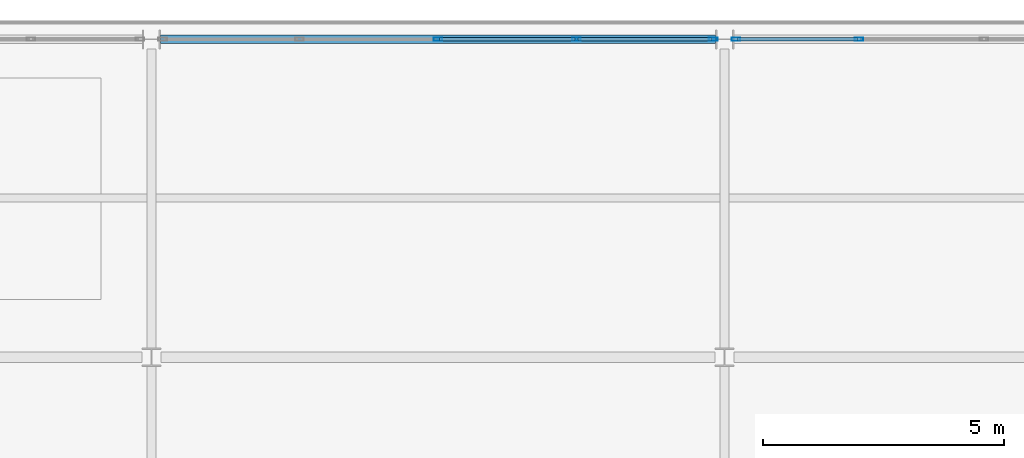
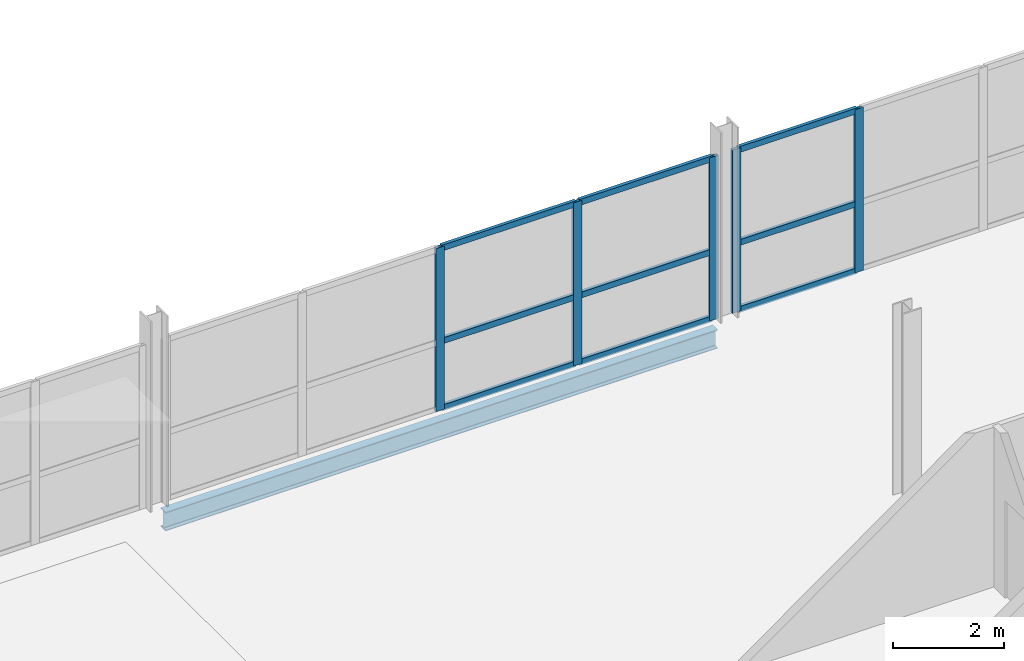
# One storey, part 15 of 36: 14 members, 1 beam, 2 elements without a shape of their own.
"""IFC4 building model written with IfcOpenShell, lengths in metres."""

import ifcopenshell
import ifcopenshell.guid

model = None  # the IFC model being written
_history = None  # IfcOwnerHistory: only IFC2X3 demands one
_inside = {}  # id of a spatial element -> (the spatial element, [elements in it])
_under = {}  # id of a project, library or spatial element -> (it, [spatial elements below it])
_declared = {}  # id of a project -> (the project, [libraries it declares])
_typed = {}  # id of a type object -> (the type object, [elements of that type])
_made_of = {}  # id of a material, layer set ... -> (it, [elements and type objects made of it])


def new_model(schema):
    """Start an empty IFC model of exactly this schema.

    Asked for "IFC4X3", IfcOpenShell would pick the latest addendum, in which some entities
    have other attributes; the version numbers below select the first issue.
    IFC2X3 requires an IfcOwnerHistory on every rooted entity: one is made here for all.
    """
    global model, _history
    if schema == "IFC4X3":
        model = ifcopenshell.file(schema_version=(4, 3, 0, 0))
    else:
        model = ifcopenshell.file(schema=schema)
    _inside.clear()
    _under.clear()
    _declared.clear()
    _typed.clear()
    _made_of.clear()
    _history = None
    if model.schema == "IFC2X3":
        org = make("IfcOrganization", Name="unknown")
        user = make(
            "IfcPersonAndOrganization",
            ThePerson=make("IfcPerson", FamilyName="unknown"),
            TheOrganization=org,
        )
        app = make(
            "IfcApplication",
            ApplicationDeveloper=org,
            Version="unknown",
            ApplicationFullName="unknown",
            ApplicationIdentifier="unknown",
        )
        _history = make(
            "IfcOwnerHistory",
            OwningUser=user,
            OwningApplication=app,
            ChangeAction="ADDED",
            CreationDate=0,
        )
    return model


def make(cls, **values):
    """One entity of the class cls with the attributes given. An attribute that is None is left unset."""
    return model.create_entity(
        cls, **{name: value for name, value in values.items() if value is not None}
    )


def rooted(cls, **values):
    """An entity with a GlobalId (a new one), such as an element, a storey or a relation."""
    return make(cls, GlobalId=ifcopenshell.guid.new(), OwnerHistory=_history, **values)


def si_unit(unit_type, name, prefix=None):
    """IfcSIUnit, for example si_unit("LENGTHUNIT", "METRE", prefix="MILLI")."""
    return make("IfcSIUnit", UnitType=unit_type, Prefix=prefix, Name=name)


def assignment(units):
    """IfcUnitAssignment: the units of a project."""
    return None if units is None else make("IfcUnitAssignment", Units=units)


def point(xyz):
    """IfcCartesianPoint."""
    return None if xyz is None else make("IfcCartesianPoint", Coordinates=xyz)


def direction(xyz):
    """IfcDirection."""
    return None if xyz is None else make("IfcDirection", DirectionRatios=xyz)


def frame(location, z_axis=None, x_axis=None):
    """IfcAxis2Placement3D, a coordinate frame: its origin and axes. An axis left out is left unset."""
    return make(
        "IfcAxis2Placement3D",
        Location=point(location),
        Axis=direction(z_axis),
        RefDirection=direction(x_axis),
    )


def frame_2d(location, x_axis=None):
    """IfcAxis2Placement2D, a coordinate frame in the plane: its origin and x axis."""
    return make(
        "IfcAxis2Placement2D", Location=point(location), RefDirection=direction(x_axis)
    )


def origin():
    """The frame at (0, 0, 0) with its axes left unset."""
    return frame((0.0, 0.0, 0.0))


def origin_2d():
    """The frame at (0, 0) in the plane with its x axis left unset."""
    return frame_2d((0.0, 0.0))


def place(relative_to, where):
    """IfcLocalPlacement: puts the frame where relative to a parent placement (None: the world)."""
    return make(
        "IfcLocalPlacement", PlacementRelTo=relative_to, RelativePlacement=where
    )


def context(
    kind, dimensions, precision=None, world=None, true_north=None, identifier=None
):
    """IfcGeometricRepresentationContext, for example the 3D "Model" context."""
    return make(
        "IfcGeometricRepresentationContext",
        ContextIdentifier=identifier,
        ContextType=kind,
        CoordinateSpaceDimension=dimensions,
        Precision=precision,
        WorldCoordinateSystem=world,
        TrueNorth=true_north,
    )


def subcontext(parent, identifier, kind, view, scale=None):
    """IfcGeometricRepresentationSubContext, for example "Body" below "Model"."""
    return make(
        "IfcGeometricRepresentationSubContext",
        ContextIdentifier=identifier,
        ContextType=kind,
        ParentContext=parent,
        TargetScale=scale,
        TargetView=view,
    )


def project(units=None, contexts=None):
    """IfcProject with its units and contexts."""
    return rooted(
        "IfcProject",
        Name="project",
        RepresentationContexts=contexts,
        UnitsInContext=assignment(units),
    )


def spatial(cls, under=None, at=None, **own):
    """A site, building, storey or space (cls), placed at a placement, below another one or the project."""
    s = rooted(cls, ObjectPlacement=at, **own)
    if under is not None:
        _under.setdefault(under.id(), (under, []))[1].append(s)
    return s


def profile(cls, at=None, kind="AREA", **sizes):
    """A parametric profile (cls). Its sizes go by their IFC names, for example OverallWidth=200.0."""
    return make(cls, ProfileType=kind, Position=at, **sizes)


def hollow_rectangle(**sizes):
    """IfcRectangleHollowProfileDef."""
    return profile("IfcRectangleHollowProfileDef", **sizes)


def i_section(**sizes):
    """IfcIShapeProfileDef."""
    return profile("IfcIShapeProfileDef", **sizes)


def extrude(swept, where, along, depth):
    """IfcExtrudedAreaSolid: the profile swept, set in the frame where, extruded along a direction by depth."""
    return make(
        "IfcExtrudedAreaSolid",
        SweptArea=swept,
        Position=where,
        ExtrudedDirection=direction(along),
        Depth=depth,
    )


def shape(context_of_items, identifier, shape_type, items):
    """IfcShapeRepresentation: the items that make up one representation, for example the "Body"."""
    return make(
        "IfcShapeRepresentation",
        ContextOfItems=context_of_items,
        RepresentationIdentifier=identifier,
        RepresentationType=shape_type,
        Items=items,
    )


def material(Name=None, Category=None):
    """IfcMaterial."""
    return make("IfcMaterial", Name=Name, Category=Category)


def layer(
    of_material, thickness, ventilated=None, Name=None, Category=None, Priority=None
):
    """IfcMaterialLayer: one layer of a wall or slab, of a material (None: an air gap)."""
    return make(
        "IfcMaterialLayer",
        Material=of_material,
        LayerThickness=thickness,
        IsVentilated=ventilated,
        Name=Name,
        Category=Category,
        Priority=Priority,
    )


def layer_set(layers, Name=None):
    """IfcMaterialLayerSet."""
    return make("IfcMaterialLayerSet", MaterialLayers=layers, LayerSetName=Name)


def material_profile(
    of_material, cross_section, Name=None, Category=None, Priority=None
):
    """IfcMaterialProfile: a cross section and its material."""
    return make(
        "IfcMaterialProfile",
        Name=Name,
        Material=of_material,
        Profile=cross_section,
        Priority=Priority,
        Category=Category,
    )


def profile_set(profiles, Name=None, composite=None):
    """IfcMaterialProfileSet."""
    return make(
        "IfcMaterialProfileSet",
        Name=Name,
        MaterialProfiles=profiles,
        CompositeProfile=composite,
    )


def made_of(thing, what):
    """Note that an element or type object is made of a material, layer set ...; save() writes the relation."""
    if what is not None:
        _made_of.setdefault(what.id(), (what, []))[1].append(thing)
    return thing


def type_object(cls, material=None, **own):
    """A type object (cls), such as IfcWallType, which elements share."""
    return made_of(rooted(cls, **own), material)


def element(
    cls,
    number,
    at=None,
    inside=None,
    cuts=None,
    type_object=None,
    material=None,
    context=None,
    identifier="Body",
    shape_type=None,
    held_by="IfcProductDefinitionShape",
    body=None,
    shapes=None,
    **own,
):
    """One element of the class cls, such as IfcWall. Its Tag is "e" and its number.

    at: its placement. inside: the storey or other place that contains it. cuts: it is an
    opening in that element (IfcRelVoidsElement). A single representation is given by context,
    identifier, shape_type and body (its items); several are given by shapes. held_by: the class
    of the entity that holds the representations. save() writes the other relations.
    """
    e = rooted(cls, Tag="e%d" % number, ObjectPlacement=at, **own)
    if body is not None:
        shapes = [shape(context, identifier, shape_type, body)]
    if shapes is not None:
        e.Representation = make(held_by, Representations=shapes)
    if inside is not None:
        _inside.setdefault(inside.id(), (inside, []))[1].append(e)
    if cuts is not None:
        rooted(
            "IfcRelVoidsElement", RelatingBuildingElement=cuts, RelatedOpeningElement=e
        )
    if type_object is not None:
        _typed.setdefault(type_object.id(), (type_object, []))[1].append(e)
    return made_of(e, material)


def aggregate(whole, parts):
    """IfcRelAggregates: a whole, such as a stair, and the parts it consists of."""
    return rooted("IfcRelAggregates", RelatingObject=whole, RelatedObjects=parts)


def save(model, path):
    """Write the relations noted so far, then the file.

    IfcRelAggregates (storeys below a building ...), IfcRelContainedInSpatialStructure (elements
    in a storey), IfcRelDefinesByType, IfcRelAssociatesMaterial and IfcRelDeclares: one each for
    every whole, place, type object, material and project.
    """
    for whole, parts in _under.values():
        aggregate(whole, parts)
    for where, things in _inside.values():
        rooted(
            "IfcRelContainedInSpatialStructure",
            RelatedElements=things,
            RelatingStructure=where,
        )
    for kind, things in _typed.values():
        rooted("IfcRelDefinesByType", RelatedObjects=things, RelatingType=kind)
    for what, things in _made_of.values():
        rooted("IfcRelAssociatesMaterial", RelatedObjects=things, RelatingMaterial=what)
    for by, libraries in _declared.values():
        rooted("IfcRelDeclares", RelatingContext=by, RelatedDefinitions=libraries)
    model.write(path)


model = new_model("IFC4")

# Units and contexts
model_context = context("Model", 3, precision=1e-05, world=origin(), true_north=direction((0.0, 1.0)))
body_context = subcontext(model_context, "Body", "Model", "MODEL_VIEW")
ifc_project = project(units=[si_unit("LENGTHUNIT", "METRE"), si_unit("AREAUNIT", "SQUARE_METRE"), si_unit("VOLUMEUNIT", "CUBIC_METRE"), si_unit("PLANEANGLEUNIT", "RADIAN"), si_unit("MASSUNIT", "GRAM", prefix="KILO")], contexts=[model_context])

# Site, building, storey
site_placement = place(None, origin())
site = spatial("IfcSite", under=ifc_project, at=site_placement, CompositionType="ELEMENT")
building_placement = place(site_placement, origin())
building = spatial("IfcBuilding", under=site, at=building_placement, Name="Quillay Park Conservatory", CompositionType="ELEMENT")
storey_placement = place(building_placement, frame((0.0, 0.0, 18.300048828125)))
storey = spatial("IfcBuildingStorey", under=building, at=storey_placement, Name="L04", CompositionType="ELEMENT", Elevation=18.300048828125)

# Curtain wall, members
ifc_material_1 = material(Name="Thermally Broken Anodised Aluminium 6063-T6", Category="aluminium")
ifc_layer = layer(ifc_material_1, 0.179931640625)
ifc_layer_set = layer_set([ifc_layer], Name="UNITISED CURTAIN WALL TOWER (Thermally Broken Anodised Aluminium 6063-T6)")
curtain_wall_type = type_object("IfcCurtainWallType", Name="UNITISED CURTAIN WALL TOWER", PredefinedType="USERDEFINED", material=ifc_layer_set)
curtain_wall_1_placement = place(storey_placement, origin())
curtain_wall_1 = element("IfcCurtainWall", 1, at=curtain_wall_1_placement, inside=storey, type_object=curtain_wall_type, Name="L04 Unitised Curtain Wall 046", ObjectType="UNITISED CURTAIN WALL", PredefinedType="USERDEFINED")
ifc_material_2 = material(Name="Thermally Broken Anodised Aluminium 6063-T6", Category="aluminium")
ifc_material_profile_1 = material_profile(ifc_material_2, hollow_rectangle(XDim=0.070068359375, YDim=0.179931640625, WallThickness=0.00390625, at=origin_2d()), Name="AL70x180x4")
ifc_profile_set_1 = profile_set([ifc_material_profile_1], Name="Thermally Broken Anodised Aluminium 6063-T6")
member_type_1 = type_object("IfcMemberType", Name="CURTAIN WALL MULLION 70 X180", PredefinedType="MULLION", material=ifc_profile_set_1)
member_1_placement = place(storey_placement, frame((13.800048828125, 113.39990234375, 0.0), z_axis=(0.0, 0.0, 1.0), x_axis=(0.0, 1.0, 0.0)))
member_1 = element("IfcMember", 2, at=member_1_placement, type_object=member_type_1, Name="CW-T1 mullion 3", PredefinedType="MULLION", context=body_context, shape_type="SweptSolid", body=[
    extrude(hollow_rectangle(XDim=0.070068359375, YDim=0.179931640625, WallThickness=0.00390625, at=origin_2d()), origin(), (0.0, 0.0, 1.0), 3.598876953125),
])
member_2_placement = place(storey_placement, frame((16.675048828125, 113.39990234375, 0.0), z_axis=(0.0, 0.0, 1.0), x_axis=(0.0, 1.0, 0.0)))
member_2 = element("IfcMember", 3, at=member_2_placement, type_object=member_type_1, Name="CW-T1 mullion 4", PredefinedType="MULLION", context=body_context, shape_type="SweptSolid", body=[
    extrude(hollow_rectangle(XDim=0.070068359375, YDim=0.179931640625, WallThickness=0.00390625, at=origin_2d()), origin(), (0.0, 0.0, 1.0), 3.598876953125),
])
member_3_placement = place(storey_placement, frame((19.514892578125, 113.39990234375, 0.0), z_axis=(0.0, 0.0, 1.0), x_axis=(0.0, 1.0, 0.0)))
member_3 = element("IfcMember", 4, at=member_3_placement, type_object=member_type_1, Name="CW-T1 mullion 5", PredefinedType="MULLION", context=body_context, shape_type="SweptSolid", body=[
    extrude(hollow_rectangle(XDim=0.070068359375, YDim=0.179931640625, WallThickness=0.00390625, at=origin_2d()), origin(), (0.0, 0.0, 1.0), 3.598876953125),
])

curtain_wall_2_placement = place(storey_placement, origin())
curtain_wall_2 = element("IfcCurtainWall", 5, at=curtain_wall_2_placement, inside=storey, type_object=curtain_wall_type, Name="L04 Unitised Curtain Wall 047", ObjectType="UNITISED CURTAIN WALL", PredefinedType="USERDEFINED")
member_4_placement = place(storey_placement, frame((19.985107421875, 113.39990234375, 0.0), z_axis=(0.0, 0.0, 1.0), x_axis=(0.0, 1.0, 0.0)))
member_4 = element("IfcMember", 6, at=member_4_placement, type_object=member_type_1, Name="CW-T1 mullion 1", PredefinedType="MULLION", context=body_context, shape_type="SweptSolid", body=[
    extrude(hollow_rectangle(XDim=0.070068359375, YDim=0.179931640625, WallThickness=0.00390625, at=origin_2d()), origin(), (0.0, 0.0, 1.0), 3.598876953125),
])
member_5_placement = place(storey_placement, frame((22.541748046875, 113.39990234375, 0.0), z_axis=(0.0, 0.0, 1.0), x_axis=(0.0, 1.0, 0.0)))
member_5 = element("IfcMember", 7, at=member_5_placement, type_object=member_type_1, Name="CW-T1 mullion 2", PredefinedType="MULLION", context=body_context, shape_type="SweptSolid", body=[
    extrude(hollow_rectangle(XDim=0.070068359375, YDim=0.179931640625, WallThickness=0.00390625, at=origin_2d()), origin(), (0.0, 0.0, 1.0), 3.598876953125),
])

# Member
ifc_material_3 = material(Name="Thermally Broken Anodised Aluminium 6063-T6", Category="aluminium")
ifc_material_profile_2 = material_profile(ifc_material_3, hollow_rectangle(XDim=0.070068359375, YDim=0.1298828125, WallThickness=0.003173828125, at=origin_2d()), Name="AL70x130x3.2")
ifc_profile_set_2 = profile_set([ifc_material_profile_2], Name="Thermally Broken Anodised Aluminium 6063-T6")
member_type_2 = type_object("IfcMemberType", Name="CURTAIN WALL TRANSOM 70 X130", PredefinedType="USERDEFINED", material=ifc_profile_set_2)
member_6_placement = place(storey_placement, frame((13.8349609375, 113.39990234375, 0.034912109375), z_axis=(1.0, 0.0, 0.0), x_axis=(0.0, 1.0, 0.0)))
member_6 = element("IfcMember", 8, at=member_6_placement, type_object=member_type_2, Name="CW-T1 transom 3.1", ObjectType="TRANSOM", PredefinedType="USERDEFINED", context=body_context, shape_type="SweptSolid", body=[
    extrude(hollow_rectangle(XDim=0.070068359375, YDim=0.1298828125, WallThickness=0.003173828125, at=origin_2d()), origin(), (0.0, 0.0, 1.0), 2.804931640625),
])

member_7_placement = place(storey_placement, frame((13.8349609375, 113.39990234375, 1.511474609375), z_axis=(1.0, 0.0, 0.0), x_axis=(0.0, 1.0, 0.0)))
member_7 = element("IfcMember", 9, at=member_7_placement, type_object=member_type_2, Name="CW-T1 transom 3.2", ObjectType="TRANSOM", PredefinedType="USERDEFINED", context=body_context, shape_type="SweptSolid", body=[
    extrude(hollow_rectangle(XDim=0.070068359375, YDim=0.1298828125, WallThickness=0.003173828125, at=origin_2d()), origin(), (0.0, 0.0, 1.0), 2.804931640625),
])

member_8_placement = place(storey_placement, frame((13.8349609375, 113.39990234375, 3.56396484375), z_axis=(1.0, 0.0, 0.0), x_axis=(0.0, 1.0, 0.0)))
member_8 = element("IfcMember", 10, at=member_8_placement, type_object=member_type_2, Name="CW-T1 transom 3.3", ObjectType="TRANSOM", PredefinedType="USERDEFINED", context=body_context, shape_type="SweptSolid", body=[
    extrude(hollow_rectangle(XDim=0.070068359375, YDim=0.1298828125, WallThickness=0.003173828125, at=origin_2d()), origin(), (0.0, 0.0, 1.0), 2.804931640625),
])

member_9_placement = place(storey_placement, frame((16.7099609375, 113.39990234375, 0.034912109375), z_axis=(1.0, 0.0, 0.0), x_axis=(0.0, 1.0, 0.0)))
member_9 = element("IfcMember", 11, at=member_9_placement, type_object=member_type_2, Name="CW-T1 transom 4.1", ObjectType="TRANSOM", PredefinedType="USERDEFINED", context=body_context, shape_type="SweptSolid", body=[
    extrude(hollow_rectangle(XDim=0.070068359375, YDim=0.1298828125, WallThickness=0.003173828125, at=origin_2d()), origin(), (0.0, 0.0, 1.0), 2.77001953125),
])

member_10_placement = place(storey_placement, frame((16.7099609375, 113.39990234375, 1.511474609375), z_axis=(1.0, 0.0, 0.0), x_axis=(0.0, 1.0, 0.0)))
member_10 = element("IfcMember", 12, at=member_10_placement, type_object=member_type_2, Name="CW-T1 transom 4.2", ObjectType="TRANSOM", PredefinedType="USERDEFINED", context=body_context, shape_type="SweptSolid", body=[
    extrude(hollow_rectangle(XDim=0.070068359375, YDim=0.1298828125, WallThickness=0.003173828125, at=origin_2d()), origin(), (0.0, 0.0, 1.0), 2.77001953125),
])

member_11_placement = place(storey_placement, frame((16.7099609375, 113.39990234375, 3.56396484375), z_axis=(1.0, 0.0, 0.0), x_axis=(0.0, 1.0, 0.0)))
member_11 = element("IfcMember", 13, at=member_11_placement, type_object=member_type_2, Name="CW-T1 transom 4.3", ObjectType="TRANSOM", PredefinedType="USERDEFINED", context=body_context, shape_type="SweptSolid", body=[
    extrude(hollow_rectangle(XDim=0.070068359375, YDim=0.1298828125, WallThickness=0.003173828125, at=origin_2d()), origin(), (0.0, 0.0, 1.0), 2.77001953125),
])

aggregate(curtain_wall_1, [member_1, member_2, member_3, member_6, member_7, member_8, member_9, member_10, member_11])

member_12_placement = place(storey_placement, frame((20.02001953125, 113.39990234375, 0.034912109375), z_axis=(1.0, 0.0, 0.0), x_axis=(0.0, 1.0, 0.0)))
member_12 = element("IfcMember", 14, at=member_12_placement, type_object=member_type_2, Name="CW-T1 transom 1.1", ObjectType="TRANSOM", PredefinedType="USERDEFINED", context=body_context, shape_type="SweptSolid", body=[
    extrude(hollow_rectangle(XDim=0.070068359375, YDim=0.1298828125, WallThickness=0.003173828125, at=origin_2d()), origin(), (0.0, 0.0, 1.0), 2.486572265625),
])

member_13_placement = place(storey_placement, frame((20.02001953125, 113.39990234375, 1.511474609375), z_axis=(1.0, 0.0, 0.0), x_axis=(0.0, 1.0, 0.0)))
member_13 = element("IfcMember", 15, at=member_13_placement, type_object=member_type_2, Name="CW-T1 transom 1.2", ObjectType="TRANSOM", PredefinedType="USERDEFINED", context=body_context, shape_type="SweptSolid", body=[
    extrude(hollow_rectangle(XDim=0.070068359375, YDim=0.1298828125, WallThickness=0.003173828125, at=origin_2d()), origin(), (0.0, 0.0, 1.0), 2.486572265625),
])

member_14_placement = place(storey_placement, frame((20.02001953125, 113.39990234375, 3.56396484375), z_axis=(1.0, 0.0, 0.0), x_axis=(0.0, 1.0, 0.0)))
member_14 = element("IfcMember", 16, at=member_14_placement, type_object=member_type_2, Name="CW-T1 transom 1.3", ObjectType="TRANSOM", PredefinedType="USERDEFINED", context=body_context, shape_type="SweptSolid", body=[
    extrude(hollow_rectangle(XDim=0.070068359375, YDim=0.1298828125, WallThickness=0.003173828125, at=origin_2d()), origin(), (0.0, 0.0, 1.0), 2.486572265625),
])

aggregate(curtain_wall_2, [member_4, member_5, member_12, member_13, member_14])

# Beam
ifc_material_4 = material(Name="Steel ASTM A992 Grade 50", Category="steel")
ifc_material_profile_3 = material_profile(ifc_material_4, i_section(OverallWidth=0.179931640625, OverallDepth=0.4130859375, WebThickness=0.009765625, FlangeThickness=0.01611328125, FilletRadius=0.011962890625, at=origin_2d()), Name="W410x74")
ifc_profile_set_3 = profile_set([ifc_material_profile_3], Name="Steel ASTM A992 Grade 50")
beam_type = type_object("IfcBeamType", Name="PERIMETER SPANDREL BEAM W410 X74", PredefinedType="SPANDREL", material=ifc_profile_set_3)
beam_placement = place(storey_placement, frame((8.0400390625, 113.39990234375, -0.406494140625), z_axis=(1.0, 0.0, 0.0), x_axis=(0.0, 1.0, 0.0)))
element("IfcBeam", 17, at=beam_placement, inside=storey, type_object=beam_type, Name="L04 beam BM-SP-0332", PredefinedType="SPANDREL", context=body_context, shape_type="SweptSolid", body=[
    extrude(i_section(OverallWidth=0.179931640625, OverallDepth=0.4130859375, WebThickness=0.009765625, FlangeThickness=0.01611328125, FilletRadius=0.011962890625, at=origin_2d()), origin(), (0.0, 0.0, 1.0), 11.52001953125),
])

save(model, "model.ifc")
